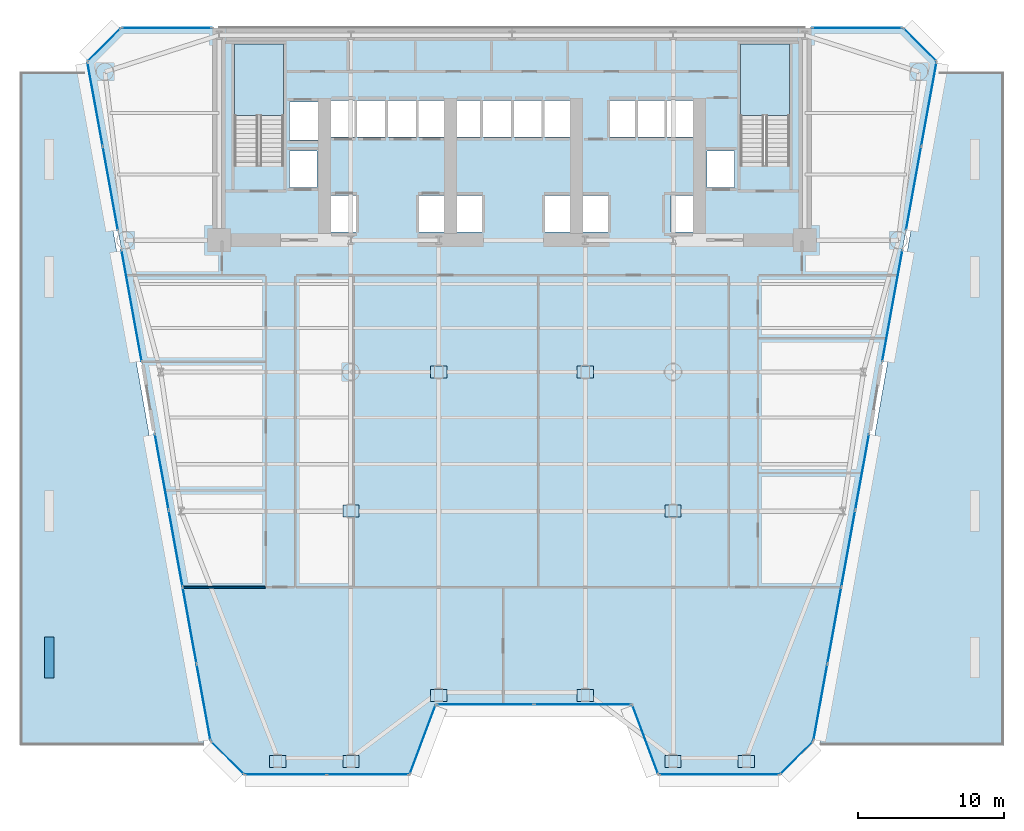
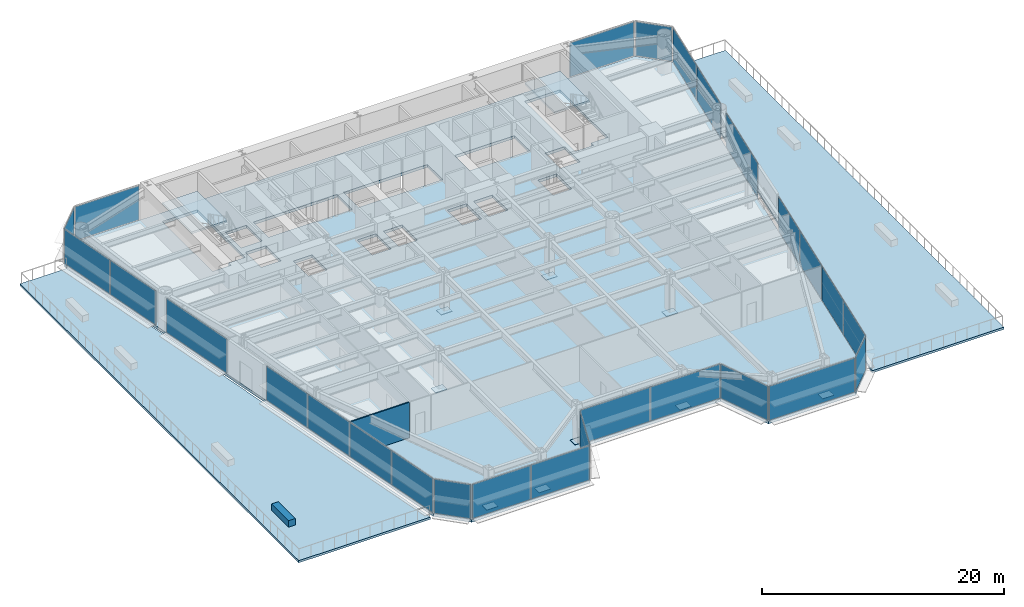
# One storey, part 7 of 14: 37 plates, 5 slabs, 2 walls, 19 elements without a shape of their own.
"""IFC4 building model written with IfcOpenShell, lengths in metres."""

from ifc_helpers import new_model, si_unit, direction, frame, frame_2d, origin, origin_2d, place, context, subcontext, project, spatial, polyline, rectangle, outline, extrude, source, transform, mapped, material, layer, layer_set, type_object, element, aggregate, save


model = new_model("IFC4")

# Units and contexts
model_context = context("Model", 3, precision=1e-05, world=origin(), true_north=direction((0.0, 1.0)))
body_context = subcontext(model_context, "Body", "Model", "MODEL_VIEW")
ifc_project = project(units=[si_unit("LENGTHUNIT", "METRE"), si_unit("AREAUNIT", "SQUARE_METRE"), si_unit("VOLUMEUNIT", "CUBIC_METRE"), si_unit("PLANEANGLEUNIT", "RADIAN"), si_unit("MASSUNIT", "GRAM", prefix="KILO")], contexts=[model_context])

# Site, building, storey
site_placement = place(None, origin())
site = spatial("IfcSite", under=ifc_project, at=site_placement, CompositionType="ELEMENT")
building_placement = place(site_placement, origin())
building = spatial("IfcBuilding", under=site, at=building_placement, Name="Vaeldorn Concourse Tower", CompositionType="ELEMENT")
storey_placement = place(building_placement, frame((0.0, 0.0, 18.800048828125)))
storey = spatial("IfcBuildingStorey", under=building, at=storey_placement, Name="L04", CompositionType="ELEMENT", Elevation=18.800048828125)

# Slabs
ifc_material_1 = material(Name="Concrete C40/50", Category="concrete")
ifc_layer_1 = layer(ifc_material_1, 0.280029296875)
ifc_layer_set_1 = layer_set([ifc_layer_1], Name="Concrete C40/50")
slab_type_1 = type_object("IfcSlabType", Name="SL-POD-280", PredefinedType="FLOOR", material=ifc_layer_set_1)
slab_1_placement = place(storey_placement, frame((0.0, 0.0, -0.280029296875)))
element("IfcSlab", 1, at=slab_1_placement, inside=storey, type_object=slab_type_1, Name="Structural Floor Slab L04", PredefinedType="FLOOR", context=body_context, shape_type="SweptSolid", body=[
    extrude(outline(polyline([(15.715087890625, 0.0), (27.0, 0.0), (28.800048828125, 4.800048828125), (42.199951171875, 4.800048828125), (44.0, 0.0), (52.284912109375, 0.0), (54.5849609375, 2.300048828125), (63.0, 48.699951171875), (60.699951171875, 51.0), (7.300048828125, 51.0), (5.0, 48.699951171875), (13.4150390625, 2.300048828125), (15.715087890625, 0.0)]), holes=[polyline([(18.39990234375, 42.0), (18.39990234375, 49.89990234375), (15.050048828125, 49.89990234375), (15.050048828125, 41.60009765625), (16.800048828125, 41.60009765625), (16.800048828125, 42.0), (18.39990234375, 42.0)]), polyline([(52.949951171875, 42.0), (52.949951171875, 49.89990234375), (49.60009765625, 49.89990234375), (49.60009765625, 41.60009765625), (51.35009765625, 41.60009765625), (51.35009765625, 42.0), (52.949951171875, 42.0)]), polyline([(21.550048828125, 37.050048828125), (23.35009765625, 37.050048828125), (23.35009765625, 39.550048828125), (21.550048828125, 39.550048828125), (21.550048828125, 37.050048828125)]), polyline([(27.64990234375, 37.050048828125), (29.449951171875, 37.050048828125), (29.449951171875, 39.550048828125), (27.64990234375, 39.550048828125), (27.64990234375, 37.050048828125)]), polyline([(21.5, 43.550048828125), (29.5, 43.550048828125), (29.5, 46.050048828125), (21.5, 46.050048828125), (21.5, 43.550048828125)]), polyline([(30.14990234375, 37.050048828125), (31.949951171875, 37.050048828125), (31.949951171875, 39.550048828125), (30.14990234375, 39.550048828125), (30.14990234375, 37.050048828125)]), polyline([(36.25, 37.050048828125), (38.050048828125, 37.050048828125), (38.050048828125, 39.550048828125), (36.25, 39.550048828125), (36.25, 37.050048828125)]), polyline([(30.10009765625, 43.550048828125), (38.10009765625, 43.550048828125), (38.10009765625, 46.050048828125), (30.10009765625, 46.050048828125), (30.10009765625, 43.550048828125)]), polyline([(38.75, 37.050048828125), (40.550048828125, 37.050048828125), (40.550048828125, 39.550048828125), (38.75, 39.550048828125), (38.75, 37.050048828125)]), polyline([(44.85009765625, 37.050048828125), (46.64990234375, 37.050048828125), (46.64990234375, 39.550048828125), (44.85009765625, 39.550048828125), (44.85009765625, 37.050048828125)]), polyline([(40.699951171875, 43.550048828125), (46.39990234375, 43.550048828125), (46.39990234375, 46.050048828125), (40.699951171875, 46.050048828125), (40.699951171875, 43.550048828125)]), polyline([(18.800048828125, 43.35009765625), (20.800048828125, 43.35009765625), (20.800048828125, 45.949951171875), (18.800048828125, 45.949951171875), (18.800048828125, 43.35009765625)]), polyline([(18.800048828125, 40.10009765625), (20.699951171875, 40.10009765625), (20.699951171875, 42.60009765625), (18.800048828125, 42.60009765625), (18.800048828125, 40.10009765625)]), polyline([(47.300048828125, 40.10009765625), (49.199951171875, 40.10009765625), (49.199951171875, 42.60009765625), (47.300048828125, 42.60009765625), (47.300048828125, 40.10009765625)])]), origin(), (0.0, 0.0, 1.0), 0.280029296875),
])
ifc_layer_2 = layer(ifc_material_1, 0.219970703125)
ifc_layer_set_2 = layer_set([ifc_layer_2], Name="Concrete C40/50")
slab_type_2 = type_object("IfcSlabType", Name="SL-SKYGARDEN", PredefinedType="FLOOR", material=ifc_layer_set_2)
slab_2_placement = place(storey_placement, frame((0.0, 0.0, -0.219970703125)))
element("IfcSlab", 2, at=slab_2_placement, inside=storey, type_object=slab_type_2, Name="Podium Roof Sky Garden Slab 1", PredefinedType="FLOOR", context=body_context, shape_type="SweptSolid", body=[
    extrude(outline(polyline([(0.39990234375, 2.0), (12.965087890625, 2.0), (4.844970703125, 48.0), (0.39990234375, 48.0), (0.39990234375, 2.0)])), origin(), (0.0, 0.0, 1.0), 0.219970703125),
])
slab_3_placement = place(storey_placement, frame((0.0, 0.0, -0.219970703125)))
element("IfcSlab", 3, at=slab_3_placement, inside=storey, type_object=slab_type_2, Name="Podium Roof Sky Garden Slab 2", PredefinedType="FLOOR", context=body_context, shape_type="SweptSolid", body=[
    extrude(outline(polyline([(55.034912109375, 2.0), (67.60009765625, 2.0), (67.60009765625, 48.0), (63.155029296875, 48.0), (55.034912109375, 2.0)])), origin(), (0.0, 0.0, 1.0), 0.219970703125),
])

# Stair, slab
ifc_material_2 = material(Name="Precast concrete C40/50", Category="concrete")
stair_type = type_object("IfcStairType", Name="STR-DOG-24x158", PredefinedType="HALF_TURN_STAIR", material=ifc_material_2)
stair_1_placement = place(storey_placement, origin())
stair_1 = element("IfcStair", 4, at=stair_1_placement, inside=storey, type_object=stair_type, Name="L04 West Core Exit Stair ST-1", PredefinedType="HALF_TURN_STAIR")
ifc_layer_3 = layer(ifc_material_1, 0.199951171875)
ifc_layer_set_3 = layer_set([ifc_layer_3], Name="Concrete C40/50")
slab_type_3 = type_object("IfcSlabType", Name="SL-STAIR-LANDING", PredefinedType="LANDING", material=ifc_layer_set_3)
slab_4_placement = place(storey_placement, frame((0.0, 0.0, 1.699951171875)))
slab_4 = element("IfcSlab", 5, at=slab_4_placement, type_object=slab_type_3, Name="ST-1 landing 1", PredefinedType="LANDING", context=body_context, shape_type="SweptSolid", body=[
    extrude(outline(polyline([(18.39990234375, 45.010009765625), (18.39990234375, 49.89990234375), (15.050048828125, 49.89990234375), (15.050048828125, 45.010009765625), (18.39990234375, 45.010009765625)])), origin(), (0.0, 0.0, 1.0), 0.199951171875),
])
aggregate(stair_1, [slab_4])

stair_2_placement = place(storey_placement, origin())
stair_2 = element("IfcStair", 6, at=stair_2_placement, inside=storey, type_object=stair_type, Name="L04 East Core Exit Stair ST-2", PredefinedType="HALF_TURN_STAIR")
slab_5_placement = place(storey_placement, frame((0.0, 0.0, 1.699951171875)))
slab_5 = element("IfcSlab", 7, at=slab_5_placement, type_object=slab_type_3, Name="ST-2 landing 1", PredefinedType="LANDING", context=body_context, shape_type="SweptSolid", body=[
    extrude(outline(polyline([(52.949951171875, 45.010009765625), (52.949951171875, 49.89990234375), (49.60009765625, 49.89990234375), (49.60009765625, 45.010009765625), (52.949951171875, 45.010009765625)])), origin(), (0.0, 0.0, 1.0), 0.199951171875),
])
aggregate(stair_2, [slab_5])

# Plates
ifc_material_3 = material(Name="Steel S460", Category="steel")
ifc_layer_4 = layer(ifc_material_3, 0.06005859375)
ifc_layer_set_4 = layer_set([ifc_layer_4], Name="Steel S460")
plate_type_1 = type_object("IfcPlateType", Name="PL-BASE-BP1", PredefinedType="USERDEFINED", material=ifc_layer_set_4)
shared_shape_1 = source(origin(), body_context, "Body", "SweptSolid", [
    extrude(rectangle(XDim=1.10009765625, YDim=0.800048828125, at=origin_2d()), origin(), (0.0, 0.0, 1.0), 0.06005859375),
])
for number, where, z_axis, x_axis, name in (
    (8, (29.0, 27.5, -0.340087890625), (0.0, 0.0, 1.0), (1.0, 0.0, 0.0), "Column Base Plate C-TW2"),
    (9, (39.0, 27.5, -0.340087890625), (0.0, 0.0, 1.0), (1.0, 0.0, 0.0), "Column Base Plate C-TW3"),
    (10, (23.0, 18.0, -0.340087890625), (0.0, 0.0, 1.0), (1.0, 0.0, 0.0), "Column Base Plate C-TW5"),
    (11, (45.0, 18.0, -0.340087890625), (0.0, 0.0, 1.0), (1.0, 0.0, 0.0), "Column Base Plate C-TW6"),
    (12, (18.0, 0.89990234375, -0.028076171875), (0.0, 0.0, 1.0), (1.0, 0.0, 0.0), "Column Base Plate C-SF1"),
    (13, (23.0, 0.89990234375, -0.028076171875), (0.0, 0.0, 1.0), (1.0, 0.0, 0.0), "Column Base Plate C-SF2"),
    (14, (29.0, 5.39990234375, -0.028076171875), (0.0, 0.0, 1.0), (1.0, 0.0, 0.0), "Column Base Plate C-SF3"),
    (15, (39.0, 5.39990234375, -0.028076171875), (0.0, 0.0, 1.0), (1.0, 0.0, 0.0), "Column Base Plate C-SF4"),
    (16, (45.0, 0.89990234375, -0.028076171875), (0.0, 0.0, 1.0), (1.0, 0.0, 0.0), "Column Base Plate C-SF5"),
    (17, (50.0, 0.89990234375, -0.028076171875), (0.0, 0.0, 1.0), (1.0, 0.0, 0.0), "Column Base Plate C-SF6"),
):
    element("IfcPlate", number, at=place(storey_placement, frame(where, z_axis=z_axis, x_axis=x_axis)), inside=storey, type_object=plate_type_1, Name=name, ObjectType="BASE PLATE", PredefinedType="USERDEFINED", context=body_context, shape_type="MappedRepresentation", body=[
        mapped(shared_shape_1, transform((0.0, 0.0, 0.0), scale=1.0)),
    ])

# Curtain wall, plates
ifc_material_4 = material(Name="Anodised Bronze Aluminium", Category="aluminium")
ifc_layer_5 = layer(ifc_material_4, 0.2099609375)
ifc_layer_set_5 = layer_set([ifc_layer_5], Name="Anodised Bronze Aluminium")
curtain_wall_type_1 = type_object("IfcCurtainWallType", Name="CW-SYS-06", PredefinedType="NOTDEFINED", material=ifc_layer_set_5)
curtain_wall_1_placement = place(storey_placement, origin())
curtain_wall_1 = element("IfcCurtainWall", 18, at=curtain_wall_1_placement, inside=storey, type_object=curtain_wall_type_1, Name="Unitised Curtain Wall CW-L04-E01-1", PredefinedType="NOTDEFINED")
ifc_material_5 = material(Name="Bronze Tinted Low-E Insulated Glass", Category="glass")
ifc_layer_6 = layer(ifc_material_5, 0.031982421875)
ifc_layer_set_6 = layer_set([ifc_layer_6], Name="Bronze Tinted Low-E Insulated Glass")
plate_type_2 = type_object("IfcPlateType", Name="CWP-VISION-32", PredefinedType="CURTAIN_PANEL", material=ifc_layer_set_6)
shared_shape_2 = source(origin(), body_context, "Body", "SweptSolid", [
    extrude(rectangle(XDim=5.530029296875, YDim=0.031982421875, at=origin_2d()), origin(), (0.0, 0.0, 1.0), 3.429931640625),
])
plate_1_placement = place(storey_placement, frame((18.554931640625, 0.0, 0.0751953125), z_axis=(0.0, 0.0, 1.0), x_axis=(1.0, 0.0, 0.0)))
plate_1 = element("IfcPlate", 19, at=plate_1_placement, type_object=plate_type_2, Name="CW-06 panel 1.1", PredefinedType="CURTAIN_PANEL", context=body_context, shape_type="MappedRepresentation", body=[
    mapped(shared_shape_2, transform((0.0, 0.0, 0.0), scale=1.0)),
])
plate_2_placement = place(storey_placement, frame((24.159912109375, 0.0, 0.0751953125), z_axis=(0.0, 0.0, 1.0), x_axis=(1.0, 0.0, 0.0)))
plate_2 = element("IfcPlate", 20, at=plate_2_placement, type_object=plate_type_2, Name="CW-06 panel 2.1", PredefinedType="CURTAIN_PANEL", context=body_context, shape_type="MappedRepresentation", body=[
    mapped(shared_shape_2, transform((0.0, 0.0, 0.0), scale=1.0)),
])
aggregate(curtain_wall_1, [plate_1, plate_2])

# Curtain wall, plate
curtain_wall_2_placement = place(storey_placement, origin())
curtain_wall_2 = element("IfcCurtainWall", 21, at=curtain_wall_2_placement, inside=storey, type_object=curtain_wall_type_1, Name="Unitised Curtain Wall CW-L04-E02-1", PredefinedType="NOTDEFINED")
shared_shape_3 = source(origin(), body_context, "Body", "SweptSolid", [
    extrude(rectangle(XDim=4.976318359375, YDim=0.031982421875, at=origin_2d()), origin(), (0.0, 0.0, 1.0), 3.429931640625),
])
plate_3_placement = place(storey_placement, frame((27.89990234375, 2.39990234375, 0.0751953125), z_axis=(0.0, 0.0, 1.0), x_axis=(0.351123441595, 0.936329177566, 0.0)))
plate_3 = element("IfcPlate", 22, at=plate_3_placement, type_object=plate_type_2, Name="CW-06 panel 1.1", PredefinedType="CURTAIN_PANEL", context=body_context, shape_type="MappedRepresentation", body=[
    mapped(shared_shape_3, transform((0.0, 0.0, 0.0), scale=1.0)),
])
aggregate(curtain_wall_2, [plate_3])

curtain_wall_3_placement = place(storey_placement, origin())
curtain_wall_3 = element("IfcCurtainWall", 23, at=curtain_wall_3_placement, inside=storey, type_object=curtain_wall_type_1, Name="Unitised Curtain Wall CW-L04-E04-1", PredefinedType="NOTDEFINED")
plate_4_placement = place(storey_placement, frame((43.10009765625, 2.39990234375, 0.0751953125), z_axis=(0.0, 0.0, 1.0), x_axis=(0.351123441595, -0.936329177566, 0.0)))
plate_4 = element("IfcPlate", 24, at=plate_4_placement, type_object=plate_type_2, Name="CW-06 panel 1.1", PredefinedType="CURTAIN_PANEL", context=body_context, shape_type="MappedRepresentation", body=[
    mapped(shared_shape_3, transform((0.0, 0.0, 0.0), scale=1.0)),
])
aggregate(curtain_wall_3, [plate_4])

# Curtain wall, plates
curtain_wall_4_placement = place(storey_placement, origin())
curtain_wall_4 = element("IfcCurtainWall", 25, at=curtain_wall_4_placement, inside=storey, type_object=curtain_wall_type_1, Name="Unitised Curtain Wall CW-L04-E03-1", PredefinedType="NOTDEFINED")
shared_shape_4 = source(origin(), body_context, "Body", "SweptSolid", [
    extrude(rectangle(XDim=6.58740234375, YDim=0.031982421875, at=origin_2d()), origin(), (0.0, 0.0, 1.0), 3.429931640625),
])
plate_5_placement = place(storey_placement, frame((32.168701171875, 4.800048828125, 0.0751953125), z_axis=(0.0, 0.0, 1.0), x_axis=(1.0, 0.0, 0.0)))
plate_5 = element("IfcPlate", 26, at=plate_5_placement, type_object=plate_type_2, Name="CW-06 panel 1.1", PredefinedType="CURTAIN_PANEL", context=body_context, shape_type="MappedRepresentation", body=[
    mapped(shared_shape_4, transform((0.0, 0.0, 0.0), scale=1.0)),
])
plate_6_placement = place(storey_placement, frame((38.831298828125, 4.800048828125, 0.0751953125), z_axis=(0.0, 0.0, 1.0), x_axis=(1.0, 0.0, 0.0)))
plate_6 = element("IfcPlate", 27, at=plate_6_placement, type_object=plate_type_2, Name="CW-06 panel 2.1", PredefinedType="CURTAIN_PANEL", context=body_context, shape_type="MappedRepresentation", body=[
    mapped(shared_shape_4, transform((0.0, 0.0, 0.0), scale=1.0)),
])
aggregate(curtain_wall_4, [plate_5, plate_6])

# Curtain wall, plate
curtain_wall_5_placement = place(storey_placement, origin())
curtain_wall_5 = element("IfcCurtainWall", 28, at=curtain_wall_5_placement, inside=storey, type_object=curtain_wall_type_1, Name="Unitised Curtain Wall CW-L04-E05-1", PredefinedType="NOTDEFINED")
shared_shape_5 = source(origin(), body_context, "Body", "SweptSolid", [
    extrude(rectangle(XDim=8.135009765625, YDim=0.031982421875, at=origin_2d()), origin(), (0.0, 0.0, 1.0), 3.429931640625),
])
plate_7_placement = place(storey_placement, frame((48.142578125, 0.0, 0.0751953125), z_axis=(0.0, 0.0, 1.0), x_axis=(1.0, 0.0, 0.0)))
plate_7 = element("IfcPlate", 29, at=plate_7_placement, type_object=plate_type_2, Name="CW-06 panel 1.1", PredefinedType="CURTAIN_PANEL", context=body_context, shape_type="MappedRepresentation", body=[
    mapped(shared_shape_5, transform((0.0, 0.0, 0.0), scale=1.0)),
])
aggregate(curtain_wall_5, [plate_7])

curtain_wall_6_placement = place(storey_placement, origin())
curtain_wall_6 = element("IfcCurtainWall", 30, at=curtain_wall_6_placement, inside=storey, type_object=curtain_wall_type_1, Name="Unitised Curtain Wall CW-L04-E06-1", PredefinedType="NOTDEFINED")
shared_shape_6 = source(origin(), body_context, "Body", "SweptSolid", [
    extrude(rectangle(XDim=3.102783203125, YDim=0.031982421875, at=origin_2d()), origin(), (0.0, 0.0, 1.0), 3.429931640625),
])
plate_8_placement = place(storey_placement, frame((53.43505859375, 1.14990234375, 0.0751953125), z_axis=(0.0, 0.0, 1.0), x_axis=(0.707106781187, 0.707106781187, 0.0)))
plate_8 = element("IfcPlate", 31, at=plate_8_placement, type_object=plate_type_2, Name="CW-06 panel 1.1", PredefinedType="CURTAIN_PANEL", context=body_context, shape_type="MappedRepresentation", body=[
    mapped(shared_shape_6, transform((0.0, 0.0, 0.0), scale=1.0)),
])
aggregate(curtain_wall_6, [plate_8])

ifc_layer_7 = layer(ifc_material_4, 0.219970703125)
ifc_layer_set_7 = layer_set([ifc_layer_7], Name="Anodised Bronze Aluminium")
curtain_wall_type_2 = type_object("IfcCurtainWallType", Name="CW-SYS-01", PredefinedType="NOTDEFINED", material=ifc_layer_set_7)
curtain_wall_7_placement = place(storey_placement, origin())
curtain_wall_7 = element("IfcCurtainWall", 32, at=curtain_wall_7_placement, inside=storey, type_object=curtain_wall_type_2, Name="Unitised Curtain Wall CW-L04-E08-1", PredefinedType="NOTDEFINED")
plate_9_placement = place(storey_placement, frame((61.85009765625, 49.85009765625, 0.0751953125), z_axis=(0.0, 0.0, 1.0), x_axis=(-0.707106781187, 0.707106781187, 0.0)))
plate_9 = element("IfcPlate", 33, at=plate_9_placement, type_object=plate_type_2, Name="CW-01 panel 1.1", PredefinedType="CURTAIN_PANEL", context=body_context, shape_type="MappedRepresentation", body=[
    mapped(shared_shape_6, transform((0.0, 0.0, 0.0), scale=1.0)),
])
aggregate(curtain_wall_7, [plate_9])

curtain_wall_8_placement = place(storey_placement, origin())
curtain_wall_8 = element("IfcCurtainWall", 34, at=curtain_wall_8_placement, inside=storey, type_object=curtain_wall_type_2, Name="Unitised Curtain Wall CW-L04-E10-1", PredefinedType="NOTDEFINED")
plate_10_placement = place(storey_placement, frame((6.14990234375, 49.85009765625, 0.0751953125), z_axis=(0.0, 0.0, 1.0), x_axis=(-0.707106781187, -0.707106781187, 0.0)))
plate_10 = element("IfcPlate", 35, at=plate_10_placement, type_object=plate_type_2, Name="CW-01 panel 1.1", PredefinedType="CURTAIN_PANEL", context=body_context, shape_type="MappedRepresentation", body=[
    mapped(shared_shape_6, transform((0.0, 0.0, 0.0), scale=1.0)),
])
aggregate(curtain_wall_8, [plate_10])

curtain_wall_9_placement = place(storey_placement, origin())
curtain_wall_9 = element("IfcCurtainWall", 36, at=curtain_wall_9_placement, inside=storey, type_object=curtain_wall_type_1, Name="Unitised Curtain Wall CW-L04-E12-1", PredefinedType="NOTDEFINED")
plate_11_placement = place(storey_placement, frame((14.56494140625, 1.14990234375, 0.0751953125), z_axis=(0.0, 0.0, 1.0), x_axis=(0.707106781187, -0.707106781187, 0.0)))
plate_11 = element("IfcPlate", 37, at=plate_11_placement, type_object=plate_type_2, Name="CW-06 panel 1.1", PredefinedType="CURTAIN_PANEL", context=body_context, shape_type="MappedRepresentation", body=[
    mapped(shared_shape_6, transform((0.0, 0.0, 0.0), scale=1.0)),
])
aggregate(curtain_wall_9, [plate_11])

# Curtain wall, plates
curtain_wall_10_placement = place(storey_placement, origin())
curtain_wall_10 = element("IfcCurtainWall", 38, at=curtain_wall_10_placement, inside=storey, type_object=curtain_wall_type_1, Name="Unitised Curtain Wall CW-L04-E07-1", PredefinedType="NOTDEFINED")
shared_shape_7 = source(origin(), body_context, "Body", "SweptSolid", [
    extrude(rectangle(XDim=5.231201171875, YDim=0.031982421875, at=origin_2d()), origin(), (0.0, 0.0, 1.0), 3.429931640625),
])
plate_12_placement = place(storey_placement, frame((55.065185546875, 4.947265625, 0.0751953125), z_axis=(0.0, 0.0, 1.0), x_axis=(0.1784457202, 0.983949757326, 0.0)))
plate_12 = element("IfcPlate", 39, at=plate_12_placement, type_object=plate_type_2, Name="CW-06 panel 1.1", PredefinedType="CURTAIN_PANEL", context=body_context, shape_type="MappedRepresentation", body=[
    mapped(shared_shape_7, transform((0.0, 0.0, 0.0), scale=1.0)),
])
plate_13_placement = place(storey_placement, frame((57.919189453125, 20.68408203125, 0.0751953125), z_axis=(0.0, 0.0, 1.0), x_axis=(0.1784457202, 0.983949757326, 0.0)))
plate_13 = element("IfcPlate", 40, at=plate_13_placement, type_object=plate_type_2, Name="CW-06 panel 4.1", PredefinedType="CURTAIN_PANEL", context=body_context, shape_type="MappedRepresentation", body=[
    mapped(shared_shape_7, transform((0.0, 0.0, 0.0), scale=1.0)),
])

curtain_wall_11_placement = place(storey_placement, origin())
curtain_wall_11 = element("IfcCurtainWall", 41, at=curtain_wall_11_placement, inside=storey, type_object=curtain_wall_type_1, Name="Unitised Curtain Wall CW-L04-E11-3", PredefinedType="NOTDEFINED")
plate_14_placement = place(storey_placement, frame((10.080810546875, 20.68408203125, 0.0751953125), z_axis=(0.0, 0.0, 1.0), x_axis=(0.1784457202, -0.983949757326, 0.0)))
plate_14 = element("IfcPlate", 42, at=plate_14_placement, type_object=plate_type_2, Name="CW-06 panel 1.1", PredefinedType="CURTAIN_PANEL", context=body_context, shape_type="MappedRepresentation", body=[
    mapped(shared_shape_7, transform((0.0, 0.0, 0.0), scale=1.0)),
])
plate_15_placement = place(storey_placement, frame((12.934814453125, 4.947265625, 0.0751953125), z_axis=(0.0, 0.0, 1.0), x_axis=(0.1784457202, -0.983949757326, 0.0)))
plate_15 = element("IfcPlate", 43, at=plate_15_placement, type_object=plate_type_2, Name="CW-06 panel 4.1", PredefinedType="CURTAIN_PANEL", context=body_context, shape_type="MappedRepresentation", body=[
    mapped(shared_shape_7, transform((0.0, 0.0, 0.0), scale=1.0)),
])

# Plate
shared_shape_8 = source(origin(), body_context, "Body", "SweptSolid", [
    extrude(rectangle(XDim=5.2685546875, YDim=0.031982421875, at=origin_2d()), origin(), (0.0, 0.0, 1.0), 3.429931640625),
])
plate_16_placement = place(storey_placement, frame((56.015380859375, 10.186767578125, 0.0751953125), z_axis=(0.0, 0.0, 1.0), x_axis=(0.1784457202, 0.983949757326, 0.0)))
plate_16 = element("IfcPlate", 44, at=plate_16_placement, type_object=plate_type_2, Name="CW-06 panel 2.1", PredefinedType="CURTAIN_PANEL", context=body_context, shape_type="MappedRepresentation", body=[
    mapped(shared_shape_8, transform((0.0, 0.0, 0.0), scale=1.0)),
])

plate_17_placement = place(storey_placement, frame((56.968994140625, 15.444580078125, 0.0751953125), z_axis=(0.0, 0.0, 1.0), x_axis=(0.1784457202, 0.983949757326, 0.0)))
plate_17 = element("IfcPlate", 45, at=plate_17_placement, type_object=plate_type_2, Name="CW-06 panel 3.1", PredefinedType="CURTAIN_PANEL", context=body_context, shape_type="MappedRepresentation", body=[
    mapped(shared_shape_8, transform((0.0, 0.0, 0.0), scale=1.0)),
])

aggregate(curtain_wall_10, [plate_12, plate_16, plate_17, plate_13])

plate_18_placement = place(storey_placement, frame((11.031005859375, 15.444580078125, 0.0751953125), z_axis=(0.0, 0.0, 1.0), x_axis=(0.1784457202, -0.983949757326, 0.0)))
plate_18 = element("IfcPlate", 46, at=plate_18_placement, type_object=plate_type_2, Name="CW-06 panel 2.1", PredefinedType="CURTAIN_PANEL", context=body_context, shape_type="MappedRepresentation", body=[
    mapped(shared_shape_8, transform((0.0, 0.0, 0.0), scale=1.0)),
])

plate_19_placement = place(storey_placement, frame((11.984619140625, 10.186767578125, 0.0751953125), z_axis=(0.0, 0.0, 1.0), x_axis=(0.1784457202, -0.983949757326, 0.0)))
plate_19 = element("IfcPlate", 47, at=plate_19_placement, type_object=plate_type_2, Name="CW-06 panel 3.1", PredefinedType="CURTAIN_PANEL", context=body_context, shape_type="MappedRepresentation", body=[
    mapped(shared_shape_8, transform((0.0, 0.0, 0.0), scale=1.0)),
])

aggregate(curtain_wall_11, [plate_14, plate_18, plate_19, plate_15])

# Curtain wall, plate
curtain_wall_12_placement = place(storey_placement, origin())
curtain_wall_12 = element("IfcCurtainWall", 48, at=curtain_wall_12_placement, inside=storey, type_object=curtain_wall_type_1, Name="Unitised Curtain Wall CW-L04-E07-2", PredefinedType="NOTDEFINED")
shared_shape_9 = source(origin(), body_context, "Body", "SweptSolid", [
    extrude(rectangle(XDim=7.691162109375, YDim=0.031982421875, at=origin_2d()), origin(), (0.0, 0.0, 1.0), 3.429931640625),
])
plate_20_placement = place(storey_placement, frame((59.9755859375, 32.02294921875, 0.0751953125), z_axis=(0.0, 0.0, 1.0), x_axis=(0.178443240034, 0.983950207117, 0.0)))
plate_20 = element("IfcPlate", 49, at=plate_20_placement, type_object=plate_type_2, Name="CW-06 panel 1.1", PredefinedType="CURTAIN_PANEL", context=body_context, shape_type="MappedRepresentation", body=[
    mapped(shared_shape_9, transform((0.0, 0.0, 0.0), scale=1.0)),
])
aggregate(curtain_wall_12, [plate_20])

curtain_wall_13_placement = place(storey_placement, origin())
curtain_wall_13 = element("IfcCurtainWall", 50, at=curtain_wall_13_placement, inside=storey, type_object=curtain_wall_type_1, Name="Unitised Curtain Wall CW-L04-E11-2", PredefinedType="NOTDEFINED")
plate_21_placement = place(storey_placement, frame((8.0244140625, 32.02294921875, 0.0751953125), z_axis=(0.0, 0.0, 1.0), x_axis=(0.178443240034, -0.983950207117, 0.0)))
plate_21 = element("IfcPlate", 51, at=plate_21_placement, type_object=plate_type_2, Name="CW-06 panel 1.1", PredefinedType="CURTAIN_PANEL", context=body_context, shape_type="MappedRepresentation", body=[
    mapped(shared_shape_9, transform((0.0, 0.0, 0.0), scale=1.0)),
])
aggregate(curtain_wall_13, [plate_21])

# Curtain wall, plates
curtain_wall_14_placement = place(storey_placement, origin())
curtain_wall_14 = element("IfcCurtainWall", 52, at=curtain_wall_14_placement, inside=storey, type_object=curtain_wall_type_1, Name="Unitised Curtain Wall CW-L04-E07-3", PredefinedType="NOTDEFINED")
shared_shape_10 = source(origin(), body_context, "Body", "SweptSolid", [
    extrude(rectangle(XDim=5.772216796875, YDim=0.031982421875, at=origin_2d()), origin(), (0.0, 0.0, 1.0), 3.429931640625),
])
plate_22_placement = place(storey_placement, frame((61.42822265625, 40.032958984375, 0.0751953125), z_axis=(0.0, 0.0, 1.0), x_axis=(0.178445771823, 0.983949747964, 0.0)))
plate_22 = element("IfcPlate", 53, at=plate_22_placement, type_object=plate_type_2, Name="CW-06 panel 1.1", PredefinedType="CURTAIN_PANEL", context=body_context, shape_type="MappedRepresentation", body=[
    mapped(shared_shape_10, transform((0.0, 0.0, 0.0), scale=1.0)),
])
plate_23_placement = place(storey_placement, frame((62.4716796875, 45.786376953125, 0.0751953125), z_axis=(0.0, 0.0, 1.0), x_axis=(0.178445771823, 0.983949747964, 0.0)))
plate_23 = element("IfcPlate", 54, at=plate_23_placement, type_object=plate_type_2, Name="CW-06 panel 2.1", PredefinedType="CURTAIN_PANEL", context=body_context, shape_type="MappedRepresentation", body=[
    mapped(shared_shape_10, transform((0.0, 0.0, 0.0), scale=1.0)),
])
aggregate(curtain_wall_14, [plate_22, plate_23])

curtain_wall_15_placement = place(storey_placement, origin())
curtain_wall_15 = element("IfcCurtainWall", 55, at=curtain_wall_15_placement, inside=storey, type_object=curtain_wall_type_1, Name="Unitised Curtain Wall CW-L04-E11-1", PredefinedType="NOTDEFINED")
plate_24_placement = place(storey_placement, frame((5.5283203125, 45.786376953125, 0.0751953125), z_axis=(0.0, 0.0, 1.0), x_axis=(0.178445771823, -0.983949747964, 0.0)))
plate_24 = element("IfcPlate", 56, at=plate_24_placement, type_object=plate_type_2, Name="CW-06 panel 1.1", PredefinedType="CURTAIN_PANEL", context=body_context, shape_type="MappedRepresentation", body=[
    mapped(shared_shape_10, transform((0.0, 0.0, 0.0), scale=1.0)),
])
plate_25_placement = place(storey_placement, frame((6.57177734375, 40.032958984375, 0.0751953125), z_axis=(0.0, 0.0, 1.0), x_axis=(0.178445771823, -0.983949747964, 0.0)))
plate_25 = element("IfcPlate", 57, at=plate_25_placement, type_object=plate_type_2, Name="CW-06 panel 2.1", PredefinedType="CURTAIN_PANEL", context=body_context, shape_type="MappedRepresentation", body=[
    mapped(shared_shape_10, transform((0.0, 0.0, 0.0), scale=1.0)),
])
aggregate(curtain_wall_15, [plate_24, plate_25])

# Curtain wall, plate
curtain_wall_16_placement = place(storey_placement, origin())
curtain_wall_16 = element("IfcCurtainWall", 58, at=curtain_wall_16_placement, inside=storey, type_object=curtain_wall_type_2, Name="Unitised Curtain Wall CW-L04-E09-1", PredefinedType="NOTDEFINED")
shared_shape_11 = source(origin(), body_context, "Body", "SweptSolid", [
    extrude(rectangle(XDim=6.10498046875, YDim=0.031982421875, at=origin_2d()), origin(), (0.0, 0.0, 1.0), 3.429931640625),
])
plate_26_placement = place(storey_placement, frame((57.572509765625, 51.0, 0.0751953125), z_axis=(0.0, 0.0, 1.0), x_axis=(-1.0, 0.0, 0.0)))
plate_26 = element("IfcPlate", 59, at=plate_26_placement, type_object=plate_type_2, Name="CW-01 panel 1.1", PredefinedType="CURTAIN_PANEL", context=body_context, shape_type="MappedRepresentation", body=[
    mapped(shared_shape_11, transform((0.0, 0.0, 0.0), scale=1.0)),
])
aggregate(curtain_wall_16, [plate_26])

curtain_wall_17_placement = place(storey_placement, origin())
curtain_wall_17 = element("IfcCurtainWall", 60, at=curtain_wall_17_placement, inside=storey, type_object=curtain_wall_type_2, Name="Unitised Curtain Wall CW-L04-E09-2", PredefinedType="NOTDEFINED")
plate_27_placement = place(storey_placement, frame((10.427490234375, 51.0, 0.0751953125), z_axis=(0.0, 0.0, 1.0), x_axis=(-1.0, 0.0, 0.0)))
plate_27 = element("IfcPlate", 61, at=plate_27_placement, type_object=plate_type_2, Name="CW-01 panel 1.1", PredefinedType="CURTAIN_PANEL", context=body_context, shape_type="MappedRepresentation", body=[
    mapped(shared_shape_11, transform((0.0, 0.0, 0.0), scale=1.0)),
])
aggregate(curtain_wall_17, [plate_27])

# Walls
ifc_material_6 = material(Name="Gypsum Board Partition", Category="gypsum")
ifc_layer_8 = layer(ifc_material_6, 0.1201171875)
ifc_layer_set_8 = layer_set([ifc_layer_8], Name="Gypsum Board Partition")
wall_type_1 = type_object("IfcWallType", Name="WL-PART-120", PredefinedType="PARTITIONING", material=ifc_layer_set_8)
wall_1_placement = place(storey_placement, frame((11.55078125, 12.800048828125, 0.0), z_axis=(0.0, 0.0, 1.0), x_axis=(1.0, 0.0, 0.0)))
element("IfcWall", 62, at=wall_1_placement, inside=storey, type_object=wall_type_1, Name="Interior Wall PW-L04-WY0", PredefinedType="PARTITIONING", context=body_context, shape_type="SweptSolid", body=[
    extrude(rectangle(XDim=5.589111328125, YDim=0.1201171875, at=frame_2d((2.79443359375, 0.0))), origin(), (0.0, 0.0, 1.0), 3.579833984375),
])
ifc_layer_9 = layer(ifc_material_4, 0.64990234375)
ifc_layer_set_9 = layer_set([ifc_layer_9], Name="Anodised Bronze Aluminium")
wall_type_2 = type_object("IfcWallType", Name="WL-PLANTER-BRONZE", PredefinedType="PARAPET", material=ifc_layer_set_9)
wall_2_placement = place(storey_placement, frame((2.39990234375, 6.60009765625, 0.0), z_axis=(0.0, 0.0, 1.0), x_axis=(0.0, 1.0, 0.0)))
element("IfcWall", 63, at=wall_2_placement, inside=storey, type_object=wall_type_2, Name="Sky Garden Bronze Planter Box L04-W8", PredefinedType="PARAPET", context=body_context, shape_type="SweptSolid", body=[
    extrude(rectangle(XDim=2.7998046875, YDim=0.64990234375, at=frame_2d((1.39990234375, 0.0))), origin(), (0.0, 0.0, 1.0), 0.64990234375),
])

save(model, "model.ifc")
